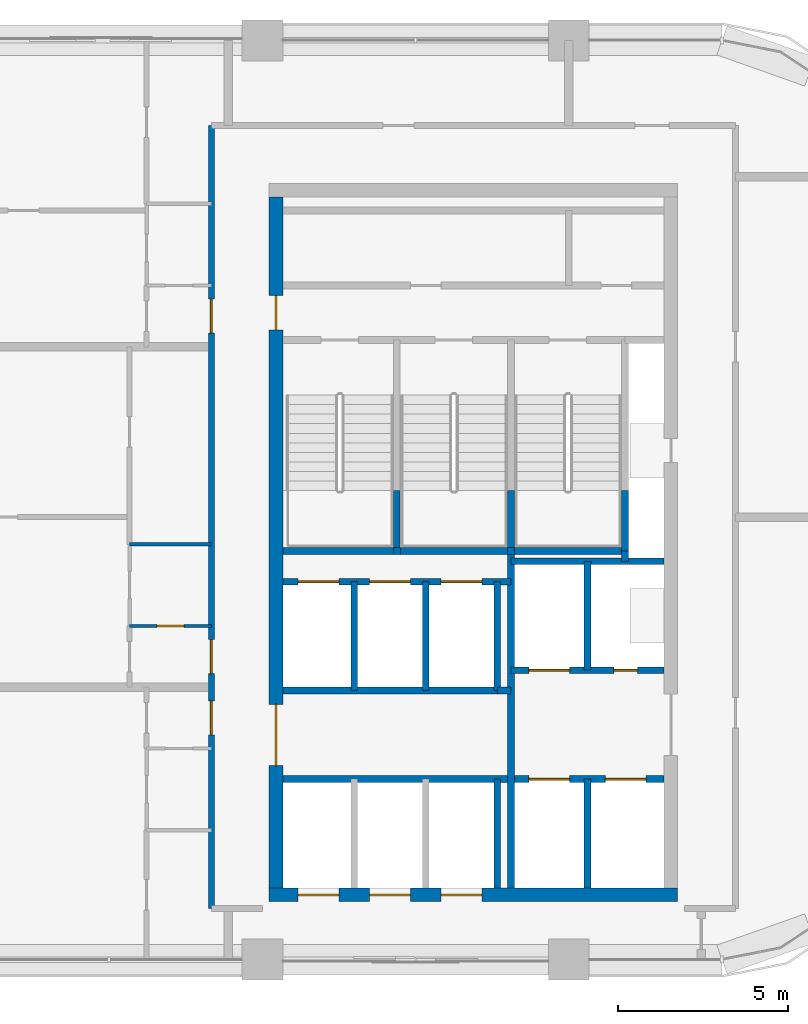
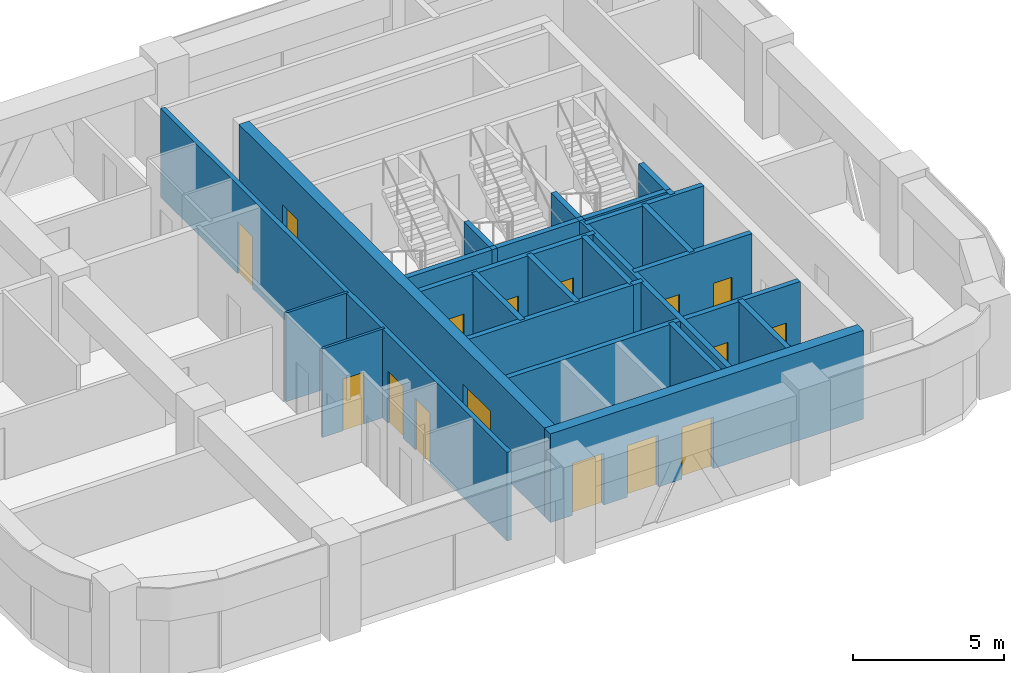
# One storey, part 7 of 10: 27 walls, 16 doors, 16 openings.
"""IFC4 building model written with IfcOpenShell, lengths in metres."""

from ifc_helpers import new_model, si_unit, direction, frame, frame_2d, origin, place, context, subcontext, project, spatial, rectangle, extrude, material, layer, layer_set, type_object, element, fill, save


model = new_model("IFC4")

# Units and contexts
model_context = context("Model", 3, precision=1e-05, world=origin(), true_north=direction((0.0, 1.0)))
body_context = subcontext(model_context, "Body", "Model", "MODEL_VIEW")
ifc_project = project(units=[si_unit("LENGTHUNIT", "METRE"), si_unit("AREAUNIT", "SQUARE_METRE"), si_unit("VOLUMEUNIT", "CUBIC_METRE"), si_unit("PLANEANGLEUNIT", "RADIAN"), si_unit("MASSUNIT", "GRAM", prefix="KILO")], contexts=[model_context])

# Site, building, storey
site_placement = place(None, origin())
site = spatial("IfcSite", under=ifc_project, at=site_placement, CompositionType="ELEMENT")
building_placement = place(site_placement, origin())
building = spatial("IfcBuilding", under=site, at=building_placement, Name="Tessera Arch", CompositionType="ELEMENT")
storey_placement = place(building_placement, frame((0.0, 0.0, 238.39990234375)))
storey = spatial("IfcBuildingStorey", under=building, at=storey_placement, Name="L57", CompositionType="ELEMENT", Elevation=238.39990234375)

# Wall
ifc_material_1 = material(Name="Gypsum board on steel stud", Category="steel")
ifc_layer_1 = layer(ifc_material_1, 0.125)
ifc_layer_set_1 = layer_set([ifc_layer_1], Name="Core partition 125 EI 60")
wall_type_1 = type_object("IfcWallType", Name="Core partition 125 EI 60", PredefinedType="PARTITIONING", material=ifc_layer_set_1)
wall_1_placement = place(storey_placement, frame((42.89990234375, 34.89990234375, 0.0), z_axis=(0.0, 0.0, 1.0), x_axis=(1.0, 0.0, 0.0)))
element("IfcWall", 1, at=wall_1_placement, inside=storey, type_object=wall_type_1, Name="L57 C1 partition wall 19", PredefinedType="PARTITIONING", context=body_context, shape_type="SweptSolid", body=[
    extrude(rectangle(XDim=0.400146484375, YDim=0.199951171875, at=frame_2d((0.2001953125, 0.0))), origin(), (0.0, 0.0, 1.0), 3.60009765625),
])

# Wall, openings, doors
ifc_material_2 = material(Name="Concrete C50/60", Category="concrete")
ifc_layer_2 = layer(ifc_material_2, 0.39990234375)
ifc_layer_set_2 = layer_set([ifc_layer_2], Name="Core shell wall 400 C50-60")
wall_type_2 = type_object("IfcWallType", Name="Core shell wall 400 C50-60", PredefinedType="SHEAR", material=ifc_layer_set_2)
wall_2_placement = place(storey_placement, frame((36.199951171875, 28.89990234375, 0.0), z_axis=(0.0, 0.0, 1.0), x_axis=(1.0, 0.0, 0.0)))
wall_2 = element("IfcWall", 2, at=wall_2_placement, inside=storey, type_object=wall_type_2, Name="L57 C1 core wall S", PredefinedType="SHEAR", context=body_context, shape_type="SweptSolid", body=[
    extrude(rectangle(XDim=12.0, YDim=0.39990234375, at=frame_2d((6.0, 0.0))), origin(), (0.0, 0.0, 1.0), 3.60009765625),
])
opening_1_placement = place(wall_2_placement, frame((0.85009765625, 0.0, 0.0)))
opening_1 = element("IfcOpeningElement", 3, at=opening_1_placement, cuts=wall_2, Name="Opening L57-C01", PredefinedType="OPENING", context=body_context, shape_type="SweptSolid", body=[
    extrude(rectangle(XDim=1.199951171875, YDim=2.10009765625, at=frame_2d((0.60009765625, 1.050048828125))), frame((0.0, 0.2099609375, 0.0), z_axis=(0.0, -1.0, 0.0), x_axis=(1.0, 0.0, 0.0)), (0.0, 0.0, 1.0), 0.419921875),
])
opening_2_placement = place(wall_2_placement, frame((2.949951171875, 0.0, 0.0)))
opening_2 = element("IfcOpeningElement", 4, at=opening_2_placement, cuts=wall_2, Name="Opening L57-C03", PredefinedType="OPENING", context=body_context, shape_type="SweptSolid", body=[
    extrude(rectangle(XDim=1.199951171875, YDim=2.10009765625, at=frame_2d((0.60009765625, 1.050048828125))), frame((0.0, 0.2099609375, 0.0), z_axis=(0.0, -1.0, 0.0), x_axis=(1.0, 0.0, 0.0)), (0.0, 0.0, 1.0), 0.419921875),
])
opening_3_placement = place(wall_2_placement, frame((5.050048828125, 0.0, 0.0)))
opening_3 = element("IfcOpeningElement", 5, at=opening_3_placement, cuts=wall_2, Name="Opening L57-C05", PredefinedType="OPENING", context=body_context, shape_type="SweptSolid", body=[
    extrude(rectangle(XDim=1.199951171875, YDim=2.10009765625, at=frame_2d((0.60009765625, 1.050048828125))), frame((0.0, 0.2099609375, 0.0), z_axis=(0.0, -1.0, 0.0), x_axis=(1.0, 0.0, 0.0)), (0.0, 0.0, 1.0), 0.419921875),
])
ifc_material_3 = material(Name="Stainless steel AISI 304", Category="steel")
door_type_1 = type_object("IfcDoorType", Name="Sliding landing door 1200 x 2100", OperationType="SLIDING_TO_LEFT", PredefinedType="DOOR", material=ifc_material_3)
door_1_placement = place(opening_1_placement, origin())
door_1 = element("IfcDoor", 6, at=door_1_placement, inside=storey, type_object=door_type_1, Name="L57 HR1 lift landing door C01 type LD", OperationType="SLIDING_TO_LEFT", OverallHeight=2.10009765625, OverallWidth=1.199951171875, PredefinedType="DOOR", context=body_context, shape_type="SweptSolid", body=[
    extrude(rectangle(XDim=1.199951171875, YDim=2.10009765625, at=frame_2d((0.60009765625, 1.050048828125))), frame((0.0, 0.02490234375, 0.0), z_axis=(0.0, -1.0, 0.0), x_axis=(1.0, 0.0, 0.0)), (0.0, 0.0, 1.0), 0.050048828125),
])
fill(opening_1, door_1)
door_2_placement = place(opening_2_placement, origin())
door_2 = element("IfcDoor", 7, at=door_2_placement, inside=storey, type_object=door_type_1, Name="L57 HR2 lift landing door C03 type LD", OperationType="SLIDING_TO_LEFT", OverallHeight=2.10009765625, OverallWidth=1.199951171875, PredefinedType="DOOR", context=body_context, shape_type="SweptSolid", body=[
    extrude(rectangle(XDim=1.199951171875, YDim=2.10009765625, at=frame_2d((0.60009765625, 1.050048828125))), frame((0.0, 0.02490234375, 0.0), z_axis=(0.0, -1.0, 0.0), x_axis=(1.0, 0.0, 0.0)), (0.0, 0.0, 1.0), 0.050048828125),
])
fill(opening_2, door_2)
door_3_placement = place(opening_3_placement, origin())
door_3 = element("IfcDoor", 8, at=door_3_placement, inside=storey, type_object=door_type_1, Name="L57 HR3 lift landing door C05 type LD", OperationType="SLIDING_TO_LEFT", OverallHeight=2.10009765625, OverallWidth=1.199951171875, PredefinedType="DOOR", context=body_context, shape_type="SweptSolid", body=[
    extrude(rectangle(XDim=1.199951171875, YDim=2.10009765625, at=frame_2d((0.60009765625, 1.050048828125))), frame((0.0, 0.02490234375, 0.0), z_axis=(0.0, -1.0, 0.0), x_axis=(1.0, 0.0, 0.0)), (0.0, 0.0, 1.0), 0.050048828125),
])
fill(opening_3, door_3)

wall_3_placement = place(storey_placement, frame((36.39990234375, 29.10009765625, 0.0), z_axis=(0.0, 0.0, 1.0), x_axis=(0.0, 1.0, 0.0)))
wall_3 = element("IfcWall", 9, at=wall_3_placement, inside=storey, type_object=wall_type_2, Name="L57 C1 core wall W", PredefinedType="SHEAR", context=body_context, shape_type="SweptSolid", body=[
    extrude(rectangle(XDim=20.2998046875, YDim=0.39990234375, at=frame_2d((10.14990234375, 0.0))), origin(), (0.0, 0.0, 1.0), 3.60009765625),
])
opening_4_placement = place(wall_3_placement, frame((3.60009765625, 0.0, 0.0)))
opening_4 = element("IfcOpeningElement", 10, at=opening_4_placement, cuts=wall_3, Name="Opening L57-C10", PredefinedType="OPENING", context=body_context, shape_type="SweptSolid", body=[
    extrude(rectangle(XDim=1.800048828125, YDim=2.10009765625, at=frame_2d((0.89990234375, 1.050048828125))), frame((0.0, 0.2099609375, 0.0), z_axis=(0.0, -1.0, 0.0), x_axis=(1.0, 0.0, 0.0)), (0.0, 0.0, 1.0), 0.419921875),
])
opening_5_placement = place(wall_3_placement, frame((16.39990234375, 0.0, 0.0)))
opening_5 = element("IfcOpeningElement", 11, at=opening_5_placement, cuts=wall_3, Name="Opening L57-C17", PredefinedType="OPENING", context=body_context, shape_type="SweptSolid", body=[
    extrude(rectangle(XDim=1.0, YDim=2.10009765625, at=frame_2d((0.5, 1.050048828125))), frame((0.0, 0.2099609375, 0.0), z_axis=(0.0, -1.0, 0.0), x_axis=(1.0, 0.0, 0.0)), (0.0, 0.0, 1.0), 0.419921875),
])
ifc_material_4 = material(Name="Steel door leaf", Category="steel")
door_type_2 = type_object("IfcDoorType", Name="Corridor door FD60 1000 x 2100", OperationType="SINGLE_SWING_LEFT", PredefinedType="DOOR", material=ifc_material_4)
door_4_placement = place(opening_5_placement, origin())
door_4 = element("IfcDoor", 12, at=door_4_placement, inside=storey, type_object=door_type_2, Name="L57 C1 door 17 C17 type D12", OperationType="SINGLE_SWING_RIGHT", OverallHeight=2.10009765625, OverallWidth=1.0, PredefinedType="DOOR", context=body_context, shape_type="SweptSolid", body=[
    extrude(rectangle(XDim=1.0, YDim=2.10009765625, at=frame_2d((0.5, 1.050048828125))), frame((0.0, 0.02490234375, 0.0), z_axis=(0.0, -1.0, 0.0), x_axis=(1.0, 0.0, 0.0)), (0.0, 0.0, 1.0), 0.050048828125),
])
fill(opening_5, door_4)
ifc_material_5 = material(Name="Glazed steel door leaf", Category="steel")
door_type_3 = type_object("IfcDoorType", Name="Lobby double door FD30S 1800 x 2100", OperationType="DOUBLE_DOOR_SINGLE_SWING", PredefinedType="DOOR", material=ifc_material_5)
door_5_placement = place(opening_4_placement, origin())
door_5 = element("IfcDoor", 13, at=door_5_placement, inside=storey, type_object=door_type_3, Name="L57 C1 door 10 C10 type D06", OperationType="DOUBLE_DOOR_SINGLE_SWING", OverallHeight=2.10009765625, OverallWidth=1.800048828125, PredefinedType="DOOR", context=body_context, shape_type="SweptSolid", body=[
    extrude(rectangle(XDim=1.800048828125, YDim=2.10009765625, at=frame_2d((0.89990234375, 1.050048828125))), frame((0.0, 0.02490234375, 0.0), z_axis=(0.0, -1.0, 0.0), x_axis=(1.0, 0.0, 0.0)), (0.0, 0.0, 1.0), 0.050048828125),
])
fill(opening_4, door_5)

ifc_material_6 = material(Name="Gypsum board on deep steel stud with mineral wool", Category="steel")
ifc_layer_3 = layer(ifc_material_6, 0.175048828125)
ifc_layer_set_3 = layer_set([ifc_layer_3], Name="Corridor wall 175 EI 60")
wall_type_3 = type_object("IfcWallType", Name="Corridor wall 175 EI 60", PredefinedType="PARTITIONING", material=ifc_layer_set_3)
wall_4_placement = place(storey_placement, frame((34.5, 28.5, 0.0), z_axis=(0.0, 0.0, 1.0), x_axis=(0.0, 1.0, 0.0)))
wall_4 = element("IfcWall", 14, at=wall_4_placement, inside=storey, type_object=wall_type_3, Name="L57 partition 4", PredefinedType="PARTITIONING", context=body_context, shape_type="SweptSolid", body=[
    extrude(rectangle(XDim=23.0, YDim=0.175048828125, at=frame_2d((11.5, 0.0))), origin(), (0.0, 0.0, 1.0), 3.60009765625),
])
opening_6_placement = place(wall_4_placement, frame((5.10009765625, 0.0, 0.0)))
opening_6 = element("IfcOpeningElement", 15, at=opening_6_placement, cuts=wall_4, Name="Opening L57-D001", PredefinedType="OPENING", context=body_context, shape_type="SweptSolid", body=[
    extrude(rectangle(XDim=1.0, YDim=2.10009765625, at=frame_2d((0.5, 1.050048828125))), frame((0.0, 0.097412109375, 0.0), z_axis=(0.0, -1.0, 0.0), x_axis=(1.0, 0.0, 0.0)), (0.0, 0.0, 1.0), 0.195068359375),
])
opening_7_placement = place(wall_4_placement, frame((6.89990234375, 0.0, 0.0)))
opening_7 = element("IfcOpeningElement", 16, at=opening_7_placement, cuts=wall_4, Name="Opening L57-D007", PredefinedType="OPENING", context=body_context, shape_type="SweptSolid", body=[
    extrude(rectangle(XDim=1.0, YDim=2.10009765625, at=frame_2d((0.5, 1.050048828125))), frame((0.0, 0.097412109375, 0.0), z_axis=(0.0, -1.0, 0.0), x_axis=(1.0, 0.0, 0.0)), (0.0, 0.0, 1.0), 0.195068359375),
])
opening_8_placement = place(wall_4_placement, frame((16.89990234375, 0.0, 0.0)))
opening_8 = element("IfcOpeningElement", 17, at=opening_8_placement, cuts=wall_4, Name="Opening L57-D015", PredefinedType="OPENING", context=body_context, shape_type="SweptSolid", body=[
    extrude(rectangle(XDim=1.0, YDim=2.10009765625, at=frame_2d((0.5, 1.050048828125))), frame((0.0, 0.097412109375, 0.0), z_axis=(0.0, -1.0, 0.0), x_axis=(1.0, 0.0, 0.0)), (0.0, 0.0, 1.0), 0.195068359375),
])
ifc_material_7 = material(Name="Fire-rated door leaf")
door_type_4 = type_object("IfcDoorType", Name="Entrance door FD30S 1000 x 2100", OperationType="SINGLE_SWING_LEFT", PredefinedType="DOOR", material=ifc_material_7)
door_6_placement = place(opening_6_placement, origin())
door_6 = element("IfcDoor", 18, at=door_6_placement, inside=storey, type_object=door_type_4, Name="L57 door D001 type D03", OperationType="SINGLE_SWING_RIGHT", OverallHeight=2.10009765625, OverallWidth=1.0, PredefinedType="DOOR", context=body_context, shape_type="SweptSolid", body=[
    extrude(rectangle(XDim=1.0, YDim=2.10009765625, at=frame_2d((0.5, 1.050048828125))), frame((0.0, 0.02490234375, 0.0), z_axis=(0.0, -1.0, 0.0), x_axis=(1.0, 0.0, 0.0)), (0.0, 0.0, 1.0), 0.050048828125),
])
fill(opening_6, door_6)
door_7_placement = place(opening_7_placement, origin())
door_7 = element("IfcDoor", 19, at=door_7_placement, inside=storey, type_object=door_type_4, Name="L57 door D007 type D03", OperationType="SINGLE_SWING_RIGHT", OverallHeight=2.10009765625, OverallWidth=1.0, PredefinedType="DOOR", context=body_context, shape_type="SweptSolid", body=[
    extrude(rectangle(XDim=1.0, YDim=2.10009765625, at=frame_2d((0.5, 1.050048828125))), frame((0.0, 0.02490234375, 0.0), z_axis=(0.0, -1.0, 0.0), x_axis=(1.0, 0.0, 0.0)), (0.0, 0.0, 1.0), 0.050048828125),
])
fill(opening_7, door_7)
door_8_placement = place(opening_8_placement, origin())
door_8 = element("IfcDoor", 20, at=door_8_placement, inside=storey, type_object=door_type_4, Name="L57 door D015 type D03", OperationType="SINGLE_SWING_RIGHT", OverallHeight=2.10009765625, OverallWidth=1.0, PredefinedType="DOOR", context=body_context, shape_type="SweptSolid", body=[
    extrude(rectangle(XDim=1.0, YDim=2.10009765625, at=frame_2d((0.5, 1.050048828125))), frame((0.0, 0.02490234375, 0.0), z_axis=(0.0, -1.0, 0.0), x_axis=(1.0, 0.0, 0.0)), (0.0, 0.0, 1.0), 0.050048828125),
])
fill(opening_8, door_8)

# Walls
ifc_material_8 = material(Name="Concrete C40/50", Category="concrete")
ifc_layer_4 = layer(ifc_material_8, 0.199951171875)
ifc_layer_set_4 = layer_set([ifc_layer_4], Name="Shaft wall 200 EI 120")
wall_type_4 = type_object("IfcWallType", Name="Shaft wall 200 EI 120", PredefinedType="SOLIDWALL", material=ifc_layer_set_4)
for number, where, z_axis, x_axis, name in (
    (21, (38.699951171875, 34.89990234375, 0.0), (0.0, 0.0, 1.0), (0.0, 1.0, 0.0), "L57 C1 shaft wall 2"),
    (22, (40.800048828125, 34.89990234375, 0.0), (0.0, 0.0, 1.0), (0.0, 1.0, 0.0), "L57 C1 shaft wall 6"),
):
    element("IfcWall", number, at=place(storey_placement, frame(where, z_axis=z_axis, x_axis=x_axis)), inside=storey, type_object=wall_type_4, Name=name, PredefinedType="SOLIDWALL", context=body_context, shape_type="SweptSolid", body=[
        extrude(rectangle(XDim=3.2001953125, YDim=0.199951171875, at=frame_2d((1.60009765625, 0.0))), origin(), (0.0, 0.0, 1.0), 3.60009765625),
    ])
wall_5_placement = place(storey_placement, frame((42.89990234375, 29.10009765625, 0.0), z_axis=(0.0, 0.0, 1.0), x_axis=(0.0, 1.0, 0.0)))
element("IfcWall", 23, at=wall_5_placement, inside=storey, type_object=wall_type_4, Name="L57 C1 shaft wall 7", PredefinedType="SOLIDWALL", context=body_context, shape_type="SweptSolid", body=[
    extrude(rectangle(XDim=3.199951171875, YDim=0.199951171875, at=frame_2d((1.60009765625, 0.0))), origin(), (0.0, 0.0, 1.0), 3.60009765625),
])
wall_6_placement = place(storey_placement, frame((42.89990234375, 34.89990234375, 0.0), z_axis=(0.0, 0.0, 1.0), x_axis=(0.0, 1.0, 0.0)))
element("IfcWall", 24, at=wall_6_placement, inside=storey, type_object=wall_type_4, Name="L57 C1 shaft wall 8", PredefinedType="SOLIDWALL", context=body_context, shape_type="SweptSolid", body=[
    extrude(rectangle(XDim=3.2001953125, YDim=0.199951171875, at=frame_2d((1.60009765625, 0.0))), origin(), (0.0, 0.0, 1.0), 3.60009765625),
])
wall_7_placement = place(storey_placement, frame((43.300048828125, 29.10009765625, 0.0), z_axis=(0.0, 0.0, 1.0), x_axis=(0.0, 1.0, 0.0)))
element("IfcWall", 25, at=wall_7_placement, inside=storey, type_object=wall_type_4, Name="L57 C1 shaft wall 9", PredefinedType="SOLIDWALL", context=body_context, shape_type="SweptSolid", body=[
    extrude(rectangle(XDim=9.89990234375, YDim=0.199951171875, at=frame_2d((4.949951171875, 0.0))), origin(), (0.0, 0.0, 1.0), 3.60009765625),
])
for number, where, z_axis, x_axis, name in (
    (26, (45.550048828125, 29.10009765625, 0.0), (0.0, 0.0, 1.0), (0.0, 1.0, 0.0), "L57 C1 shaft wall 13"),
    (27, (45.550048828125, 35.5, 0.0), (0.0, 0.0, 1.0), (0.0, 1.0, 0.0), "L57 C1 shaft wall 14"),
):
    element("IfcWall", number, at=place(storey_placement, frame(where, z_axis=z_axis, x_axis=x_axis)), inside=storey, type_object=wall_type_4, Name=name, PredefinedType="SOLIDWALL", context=body_context, shape_type="SweptSolid", body=[
        extrude(rectangle(XDim=3.199951171875, YDim=0.199951171875, at=frame_2d((1.60009765625, 0.0))), origin(), (0.0, 0.0, 1.0), 3.60009765625),
    ])
wall_8_placement = place(storey_placement, frame((46.64990234375, 38.699951171875, 0.0), z_axis=(0.0, 0.0, 1.0), x_axis=(0.0, 1.0, 0.0)))
element("IfcWall", 28, at=wall_8_placement, inside=storey, type_object=wall_type_4, Name="L57 C1 shaft wall 15", PredefinedType="SOLIDWALL", context=body_context, shape_type="SweptSolid", body=[
    extrude(rectangle(XDim=0.300048828125, YDim=0.199951171875, at=frame_2d((0.14990234375, 0.0))), origin(), (0.0, 0.0, 1.0), 3.60009765625),
])

# Wall, openings, doors
wall_9_placement = place(storey_placement, frame((36.60009765625, 32.300048828125, 0.0), z_axis=(0.0, 0.0, 1.0), x_axis=(1.0, 0.0, 0.0)))
wall_9 = element("IfcWall", 29, at=wall_9_placement, inside=storey, type_object=wall_type_4, Name="L57 C1 shaft wall 18", PredefinedType="SOLIDWALL", context=body_context, shape_type="SweptSolid", body=[
    extrude(rectangle(XDim=11.199951171875, YDim=0.199951171875, at=frame_2d((5.60009765625, 0.0))), origin(), (0.0, 0.0, 1.0), 3.60009765625),
])
opening_9_placement = place(wall_9_placement, frame((7.22509765625, 0.0, 0.0)))
opening_9 = element("IfcOpeningElement", 30, at=opening_9_placement, cuts=wall_9, Name="Opening L57-C07", PredefinedType="OPENING", context=body_context, shape_type="SweptSolid", body=[
    extrude(rectangle(XDim=1.199951171875, YDim=2.10009765625, at=frame_2d((0.60009765625, 1.050048828125))), frame((0.0, 0.10986328125, 0.0), z_axis=(0.0, -1.0, 0.0), x_axis=(1.0, 0.0, 0.0)), (0.0, 0.0, 1.0), 0.219970703125),
])
opening_10_placement = place(wall_9_placement, frame((9.47509765625, 0.0, 0.0)))
opening_10 = element("IfcOpeningElement", 31, at=opening_10_placement, cuts=wall_9, Name="Opening L57-C08", PredefinedType="OPENING", context=body_context, shape_type="SweptSolid", body=[
    extrude(rectangle(XDim=1.199951171875, YDim=2.10009765625, at=frame_2d((0.60009765625, 1.050048828125))), frame((0.0, 0.10986328125, 0.0), z_axis=(0.0, -1.0, 0.0), x_axis=(1.0, 0.0, 0.0)), (0.0, 0.0, 1.0), 0.219970703125),
])
door_9_placement = place(opening_9_placement, origin())
door_9 = element("IfcDoor", 32, at=door_9_placement, inside=storey, type_object=door_type_1, Name="L57 FF1 lift landing door C07 type LD", OperationType="SLIDING_TO_LEFT", OverallHeight=2.10009765625, OverallWidth=1.199951171875, PredefinedType="DOOR", context=body_context, shape_type="SweptSolid", body=[
    extrude(rectangle(XDim=1.199951171875, YDim=2.10009765625, at=frame_2d((0.60009765625, 1.050048828125))), frame((0.0, 0.02490234375, 0.0), z_axis=(0.0, -1.0, 0.0), x_axis=(1.0, 0.0, 0.0)), (0.0, 0.0, 1.0), 0.050048828125),
])
fill(opening_9, door_9)
door_10_placement = place(opening_10_placement, origin())
door_10 = element("IfcDoor", 33, at=door_10_placement, inside=storey, type_object=door_type_1, Name="L57 FF2 lift landing door C08 type LD", OperationType="SLIDING_TO_LEFT", OverallHeight=2.10009765625, OverallWidth=1.199951171875, PredefinedType="DOOR", context=body_context, shape_type="SweptSolid", body=[
    extrude(rectangle(XDim=1.199951171875, YDim=2.10009765625, at=frame_2d((0.60009765625, 1.050048828125))), frame((0.0, 0.02490234375, 0.0), z_axis=(0.0, -1.0, 0.0), x_axis=(1.0, 0.0, 0.0)), (0.0, 0.0, 1.0), 0.050048828125),
])
fill(opening_10, door_10)

# Wall
wall_10_placement = place(storey_placement, frame((36.60009765625, 34.89990234375, 0.0), z_axis=(0.0, 0.0, 1.0), x_axis=(1.0, 0.0, 0.0)))
element("IfcWall", 34, at=wall_10_placement, inside=storey, type_object=wall_type_4, Name="L57 C1 shaft wall 20", PredefinedType="SOLIDWALL", context=body_context, shape_type="SweptSolid", body=[
    extrude(rectangle(XDim=6.2998046875, YDim=0.199951171875, at=frame_2d((3.14990234375, 0.0))), origin(), (0.0, 0.0, 1.0), 3.60009765625),
])

# Wall, openings, doors
wall_11_placement = place(storey_placement, frame((43.300048828125, 35.5, 0.0), z_axis=(0.0, 0.0, 1.0), x_axis=(1.0, 0.0, 0.0)))
wall_11 = element("IfcWall", 35, at=wall_11_placement, inside=storey, type_object=wall_type_4, Name="L57 C1 shaft wall 21", PredefinedType="SOLIDWALL", context=body_context, shape_type="SweptSolid", body=[
    extrude(rectangle(XDim=4.5, YDim=0.199951171875, at=frame_2d((2.25, 0.0))), origin(), (0.0, 0.0, 1.0), 3.60009765625),
])
opening_11_placement = place(wall_11_placement, frame((0.52490234375, 0.0, 0.0)))
opening_11 = element("IfcOpeningElement", 36, at=opening_11_placement, cuts=wall_11, Name="Opening L57-C09", PredefinedType="OPENING", context=body_context, shape_type="SweptSolid", body=[
    extrude(rectangle(XDim=1.199951171875, YDim=2.10009765625, at=frame_2d((0.60009765625, 1.050048828125))), frame((0.0, 0.10986328125, 0.0), z_axis=(0.0, -1.0, 0.0), x_axis=(1.0, 0.0, 0.0)), (0.0, 0.0, 1.0), 0.219970703125),
])
opening_12_placement = place(wall_11_placement, frame((3.02490234375, 0.0, 0.0)))
opening_12 = element("IfcOpeningElement", 37, at=opening_12_placement, cuts=wall_11, Name="Opening L57-C16", PredefinedType="OPENING", context=body_context, shape_type="SweptSolid", body=[
    extrude(rectangle(XDim=0.699951171875, YDim=2.10009765625, at=frame_2d((0.35009765625, 1.050048828125))), frame((0.0, 0.10986328125, 0.0), z_axis=(0.0, -1.0, 0.0), x_axis=(1.0, 0.0, 0.0)), (0.0, 0.0, 1.0), 0.219970703125),
])
ifc_material_9 = material(Name="Steel door leaf", Category="steel")
door_type_5 = type_object("IfcDoorType", Name="Service shaft door FD60 700 x 2100", OperationType="SINGLE_SWING_LEFT", PredefinedType="DOOR", material=ifc_material_9)
door_11_placement = place(opening_12_placement, origin())
door_11 = element("IfcDoor", 38, at=door_11_placement, inside=storey, type_object=door_type_5, Name="L57 C1 door 16 C16 type D07", OperationType="SINGLE_SWING_RIGHT", OverallHeight=2.10009765625, OverallWidth=0.699951171875, PredefinedType="DOOR", context=body_context, shape_type="SweptSolid", body=[
    extrude(rectangle(XDim=0.699951171875, YDim=2.10009765625, at=frame_2d((0.35009765625, 1.050048828125))), frame((0.0, 0.02490234375, 0.0), z_axis=(0.0, -1.0, 0.0), x_axis=(1.0, 0.0, 0.0)), (0.0, 0.0, 1.0), 0.050048828125),
])
fill(opening_12, door_11)
door_12_placement = place(opening_11_placement, origin())
door_12 = element("IfcDoor", 39, at=door_12_placement, inside=storey, type_object=door_type_1, Name="L57 SV2 lift landing door C09 type LD", OperationType="SLIDING_TO_LEFT", OverallHeight=2.10009765625, OverallWidth=1.199951171875, PredefinedType="DOOR", context=body_context, shape_type="SweptSolid", body=[
    extrude(rectangle(XDim=1.199951171875, YDim=2.10009765625, at=frame_2d((0.60009765625, 1.050048828125))), frame((0.0, 0.02490234375, 0.0), z_axis=(0.0, -1.0, 0.0), x_axis=(1.0, 0.0, 0.0)), (0.0, 0.0, 1.0), 0.050048828125),
])
fill(opening_11, door_12)

wall_12_placement = place(storey_placement, frame((36.60009765625, 38.10009765625, 0.0), z_axis=(0.0, 0.0, 1.0), x_axis=(1.0, 0.0, 0.0)))
wall_12 = element("IfcWall", 40, at=wall_12_placement, inside=storey, type_object=wall_type_4, Name="L57 C1 shaft wall 22", PredefinedType="SOLIDWALL", context=body_context, shape_type="SweptSolid", body=[
    extrude(rectangle(XDim=6.699951171875, YDim=0.199951171875, at=frame_2d((3.35009765625, 0.0))), origin(), (0.0, 0.0, 1.0), 3.60009765625),
])
opening_13_placement = place(wall_12_placement, frame((0.449951171875, 0.0, 0.0)))
opening_13 = element("IfcOpeningElement", 41, at=opening_13_placement, cuts=wall_12, Name="Opening L57-C02", PredefinedType="OPENING", context=body_context, shape_type="SweptSolid", body=[
    extrude(rectangle(XDim=1.199951171875, YDim=2.10009765625, at=frame_2d((0.60009765625, 1.050048828125))), frame((0.0, 0.10986328125, 0.0), z_axis=(0.0, -1.0, 0.0), x_axis=(1.0, 0.0, 0.0)), (0.0, 0.0, 1.0), 0.219970703125),
])
opening_14_placement = place(wall_12_placement, frame((2.550048828125, 0.0, 0.0)))
opening_14 = element("IfcOpeningElement", 42, at=opening_14_placement, cuts=wall_12, Name="Opening L57-C04", PredefinedType="OPENING", context=body_context, shape_type="SweptSolid", body=[
    extrude(rectangle(XDim=1.199951171875, YDim=2.10009765625, at=frame_2d((0.60009765625, 1.050048828125))), frame((0.0, 0.10986328125, 0.0), z_axis=(0.0, -1.0, 0.0), x_axis=(1.0, 0.0, 0.0)), (0.0, 0.0, 1.0), 0.219970703125),
])
opening_15_placement = place(wall_12_placement, frame((4.64990234375, 0.0, 0.0)))
opening_15 = element("IfcOpeningElement", 43, at=opening_15_placement, cuts=wall_12, Name="Opening L57-C06", PredefinedType="OPENING", context=body_context, shape_type="SweptSolid", body=[
    extrude(rectangle(XDim=1.199951171875, YDim=2.10009765625, at=frame_2d((0.60009765625, 1.050048828125))), frame((0.0, 0.10986328125, 0.0), z_axis=(0.0, -1.0, 0.0), x_axis=(1.0, 0.0, 0.0)), (0.0, 0.0, 1.0), 0.219970703125),
])
door_13_placement = place(opening_13_placement, origin())
door_13 = element("IfcDoor", 44, at=door_13_placement, inside=storey, type_object=door_type_1, Name="L57 HR4 lift landing door C02 type LD", OperationType="SLIDING_TO_LEFT", OverallHeight=2.10009765625, OverallWidth=1.199951171875, PredefinedType="DOOR", context=body_context, shape_type="SweptSolid", body=[
    extrude(rectangle(XDim=1.199951171875, YDim=2.10009765625, at=frame_2d((0.60009765625, 1.050048828125))), frame((0.0, 0.02490234375, 0.0), z_axis=(0.0, -1.0, 0.0), x_axis=(1.0, 0.0, 0.0)), (0.0, 0.0, 1.0), 0.050048828125),
])
fill(opening_13, door_13)
door_14_placement = place(opening_14_placement, origin())
door_14 = element("IfcDoor", 45, at=door_14_placement, inside=storey, type_object=door_type_1, Name="L57 HR5 lift landing door C04 type LD", OperationType="SLIDING_TO_LEFT", OverallHeight=2.10009765625, OverallWidth=1.199951171875, PredefinedType="DOOR", context=body_context, shape_type="SweptSolid", body=[
    extrude(rectangle(XDim=1.199951171875, YDim=2.10009765625, at=frame_2d((0.60009765625, 1.050048828125))), frame((0.0, 0.02490234375, 0.0), z_axis=(0.0, -1.0, 0.0), x_axis=(1.0, 0.0, 0.0)), (0.0, 0.0, 1.0), 0.050048828125),
])
fill(opening_14, door_14)
door_15_placement = place(opening_15_placement, origin())
door_15 = element("IfcDoor", 46, at=door_15_placement, inside=storey, type_object=door_type_1, Name="L57 HR6 lift landing door C06 type LD", OperationType="SLIDING_TO_LEFT", OverallHeight=2.10009765625, OverallWidth=1.199951171875, PredefinedType="DOOR", context=body_context, shape_type="SweptSolid", body=[
    extrude(rectangle(XDim=1.199951171875, YDim=2.10009765625, at=frame_2d((0.60009765625, 1.050048828125))), frame((0.0, 0.02490234375, 0.0), z_axis=(0.0, -1.0, 0.0), x_axis=(1.0, 0.0, 0.0)), (0.0, 0.0, 1.0), 0.050048828125),
])
fill(opening_15, door_15)

# Walls
wall_13_placement = place(storey_placement, frame((43.300048828125, 38.699951171875, 0.0), z_axis=(0.0, 0.0, 1.0), x_axis=(1.0, 0.0, 0.0)))
element("IfcWall", 47, at=wall_13_placement, inside=storey, type_object=wall_type_4, Name="L57 C1 shaft wall 23", PredefinedType="SOLIDWALL", context=body_context, shape_type="SweptSolid", body=[
    extrude(rectangle(XDim=4.5, YDim=0.199951171875, at=frame_2d((2.25, 0.0))), origin(), (0.0, 0.0, 1.0), 3.60009765625),
])
ifc_material_10 = material(Name="Concrete C40/50", Category="concrete")
ifc_layer_5 = layer(ifc_material_10, 0.199951171875)
ifc_layer_set_5 = layer_set([ifc_layer_5], Name="Stair well wall 200 REI 180")
wall_type_5 = type_object("IfcWallType", Name="Stair well wall 200 REI 180", PredefinedType="SOLIDWALL", material=ifc_layer_set_5)
for number, where, z_axis, x_axis, name in (
    (48, (39.949951171875, 39.0, 0.0), (0.0, 0.0, 1.0), (0.0, 1.0, 0.0), "L57 C1 shaft wall 3"),
    (49, (43.300048828125, 39.0, 0.0), (0.0, 0.0, 1.0), (0.0, 1.0, 0.0), "L57 C1 shaft wall 10"),
    (50, (46.64990234375, 39.0, 0.0), (0.0, 0.0, 1.0), (0.0, 1.0, 0.0), "L57 C1 shaft wall 16"),
):
    element("IfcWall", number, at=place(storey_placement, frame(where, z_axis=z_axis, x_axis=x_axis)), inside=storey, type_object=wall_type_5, Name=name, PredefinedType="SOLIDWALL", context=body_context, shape_type="SweptSolid", body=[
        extrude(rectangle(XDim=1.780029296875, YDim=0.199951171875, at=frame_2d((0.89013671875, 0.0))), origin(), (0.0, 0.0, 1.0), 3.60009765625),
    ])
wall_14_placement = place(storey_placement, frame((36.60009765625, 39.0, 0.0), z_axis=(0.0, 0.0, 1.0), x_axis=(1.0, 0.0, 0.0)))
element("IfcWall", 51, at=wall_14_placement, inside=storey, type_object=wall_type_5, Name="L57 C1 shaft wall 24", PredefinedType="SOLIDWALL", context=body_context, shape_type="SweptSolid", body=[
    extrude(rectangle(XDim=3.25, YDim=0.199951171875, at=frame_2d((1.625, 0.0))), origin(), (0.0, 0.0, 1.0), 3.60009765625),
])
wall_15_placement = place(storey_placement, frame((39.85009765625, 39.0, 0.0), z_axis=(0.0, 0.0, 1.0), x_axis=(1.0, 0.0, 0.0)))
element("IfcWall", 52, at=wall_15_placement, inside=storey, type_object=wall_type_5, Name="L57 C1 shaft wall 25", PredefinedType="SOLIDWALL", context=body_context, shape_type="SweptSolid", body=[
    extrude(rectangle(XDim=0.199951171875, YDim=0.199951171875, at=frame_2d((0.10009765625, 0.0))), origin(), (0.0, 0.0, 1.0), 3.60009765625),
])
wall_16_placement = place(storey_placement, frame((40.050048828125, 39.0, 0.0), z_axis=(0.0, 0.0, 1.0), x_axis=(1.0, 0.0, 0.0)))
element("IfcWall", 53, at=wall_16_placement, inside=storey, type_object=wall_type_5, Name="L57 C1 shaft wall 26", PredefinedType="SOLIDWALL", context=body_context, shape_type="SweptSolid", body=[
    extrude(rectangle(XDim=3.14990234375, YDim=0.199951171875, at=frame_2d((1.574951171875, 0.0))), origin(), (0.0, 0.0, 1.0), 3.60009765625),
])
wall_17_placement = place(storey_placement, frame((43.199951171875, 39.0, 0.0), z_axis=(0.0, 0.0, 1.0), x_axis=(1.0, 0.0, 0.0)))
element("IfcWall", 54, at=wall_17_placement, inside=storey, type_object=wall_type_5, Name="L57 C1 shaft wall 27", PredefinedType="SOLIDWALL", context=body_context, shape_type="SweptSolid", body=[
    extrude(rectangle(XDim=0.199951171875, YDim=0.199951171875, at=frame_2d((0.10009765625, 0.0))), origin(), (0.0, 0.0, 1.0), 3.60009765625),
])
wall_18_placement = place(storey_placement, frame((43.39990234375, 39.0, 0.0), z_axis=(0.0, 0.0, 1.0), x_axis=(1.0, 0.0, 0.0)))
element("IfcWall", 55, at=wall_18_placement, inside=storey, type_object=wall_type_5, Name="L57 C1 shaft wall 28", PredefinedType="SOLIDWALL", context=body_context, shape_type="SweptSolid", body=[
    extrude(rectangle(XDim=3.25, YDim=0.199951171875, at=frame_2d((1.625, 0.0))), origin(), (0.0, 0.0, 1.0), 3.60009765625),
])

# Wall, opening, door
ifc_material_11 = material(Name="Moisture-resistant board on pre-plumbed steel stud", Category="steel")
ifc_layer_6 = layer(ifc_material_11, 0.10009765625)
ifc_layer_set_6 = layer_set([ifc_layer_6], Name="Wet wall 100")
wall_type_6 = type_object("IfcWallType", Name="Wet wall 100", PredefinedType="PARTITIONING", material=ifc_layer_set_6)
wall_19_placement = place(storey_placement, frame((32.10009765625, 36.800048828125, 0.0), z_axis=(0.0, 0.0, 1.0), x_axis=(1.0, 0.0, 0.0)))
wall_19 = element("IfcWall", 56, at=wall_19_placement, inside=storey, type_object=wall_type_6, Name="L57 partition 26", PredefinedType="PARTITIONING", context=body_context, shape_type="SweptSolid", body=[
    extrude(rectangle(XDim=2.39990234375, YDim=0.10009765625, at=frame_2d((1.199951171875, 0.0))), origin(), (0.0, 0.0, 1.0), 3.60009765625),
])
opening_16_placement = place(wall_19_placement, frame((0.800048828125, 0.0, 0.0)))
opening_16 = element("IfcOpeningElement", 57, at=opening_16_placement, cuts=wall_19, Name="Opening L57-D009", PredefinedType="OPENING", context=body_context, shape_type="SweptSolid", body=[
    extrude(rectangle(XDim=0.800048828125, YDim=2.10009765625, at=frame_2d((0.39990234375, 1.050048828125))), frame((0.0, 0.06005859375, 0.0), z_axis=(0.0, -1.0, 0.0), x_axis=(1.0, 0.0, 0.0)), (0.0, 0.0, 1.0), 0.1201171875),
])
ifc_material_12 = material(Name="Timber door leaf", Category="wood")
door_type_6 = type_object("IfcDoorType", Name="En-suite door 800 x 2100", OperationType="SINGLE_SWING_LEFT", PredefinedType="DOOR", material=ifc_material_12)
door_16_placement = place(opening_16_placement, origin())
door_16 = element("IfcDoor", 58, at=door_16_placement, inside=storey, type_object=door_type_6, Name="L57 door D009 type D02", OperationType="SINGLE_SWING_RIGHT", OverallHeight=2.10009765625, OverallWidth=0.800048828125, PredefinedType="DOOR", context=body_context, shape_type="SweptSolid", body=[
    extrude(rectangle(XDim=0.800048828125, YDim=2.10009765625, at=frame_2d((0.39990234375, 1.050048828125))), frame((0.0, 0.02490234375, 0.0), z_axis=(0.0, -1.0, 0.0), x_axis=(1.0, 0.0, 0.0)), (0.0, 0.0, 1.0), 0.050048828125),
])
fill(opening_16, door_16)

# Wall
wall_20_placement = place(storey_placement, frame((32.10009765625, 39.199951171875, 0.0), z_axis=(0.0, 0.0, 1.0), x_axis=(1.0, 0.0, 0.0)))
element("IfcWall", 59, at=wall_20_placement, inside=storey, type_object=wall_type_6, Name="L57 partition 27", PredefinedType="PARTITIONING", context=body_context, shape_type="SweptSolid", body=[
    extrude(rectangle(XDim=2.39990234375, YDim=0.10009765625, at=frame_2d((1.199951171875, 0.0))), origin(), (0.0, 0.0, 1.0), 3.60009765625),
])

save(model, "model.ifc")
